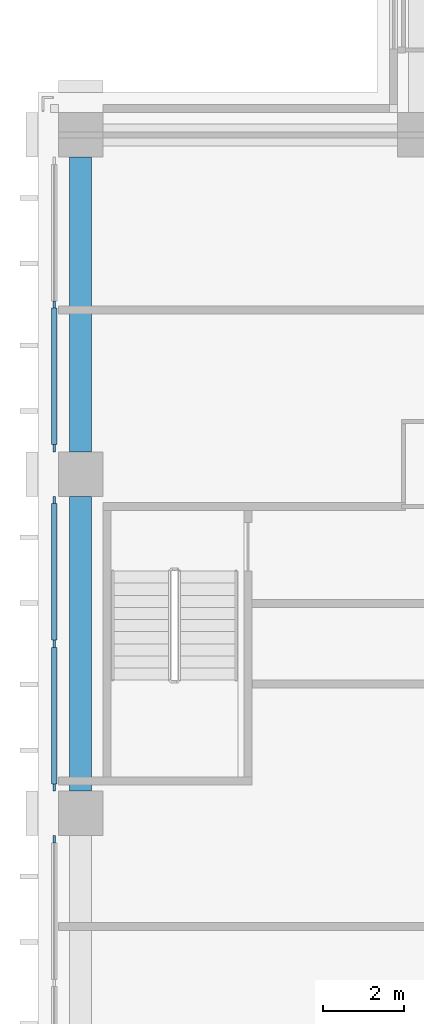
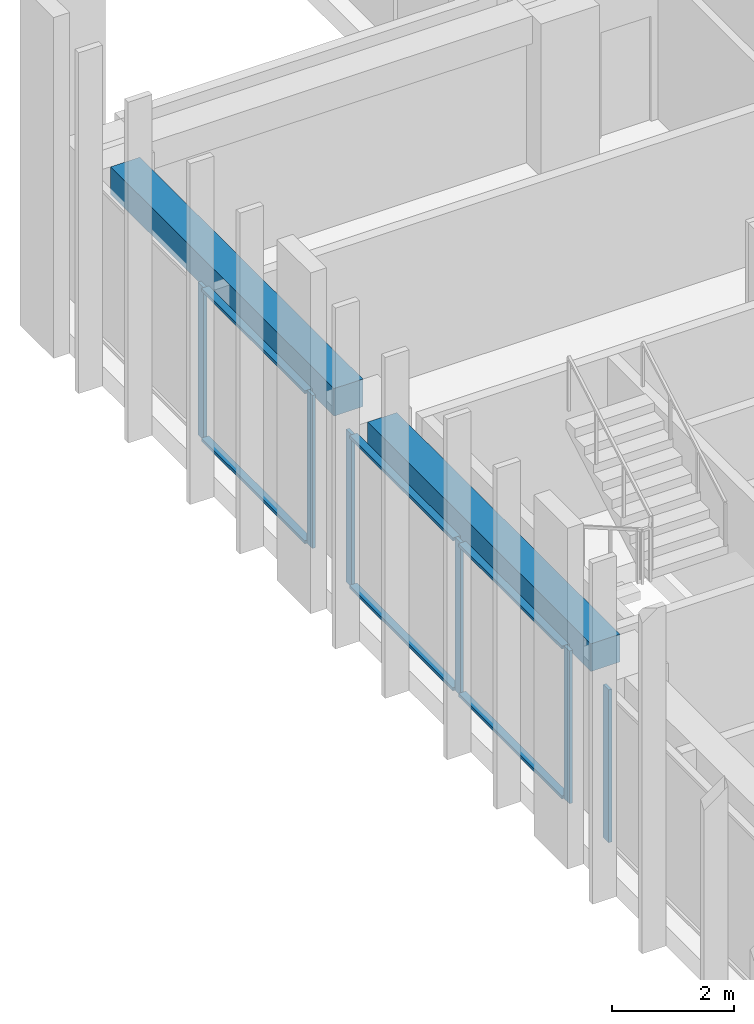
# One storey, part 4 of 16: 12 members, 2 beams, 3 elements without a shape of their own.
"""IFC4 building model written with IfcOpenShell, lengths in metres."""

from ifc_helpers import new_model, si_unit, direction, frame, origin, origin_2d, place, context, subcontext, project, spatial, rectangle, extrude, material, material_profile, profile_set, type_object, element, aggregate, save


model = new_model("IFC4")

# Units and contexts
model_context = context("Model", 3, precision=1e-05, world=origin(), true_north=direction((0.0, 1.0)))
body_context = subcontext(model_context, "Body", "Model", "MODEL_VIEW")
ifc_project = project(units=[si_unit("LENGTHUNIT", "METRE"), si_unit("AREAUNIT", "SQUARE_METRE"), si_unit("VOLUMEUNIT", "CUBIC_METRE"), si_unit("PLANEANGLEUNIT", "RADIAN"), si_unit("MASSUNIT", "GRAM", prefix="KILO")], contexts=[model_context])

# Site, building, storey
site_placement = place(None, origin())
site = spatial("IfcSite", under=ifc_project, at=site_placement, CompositionType="ELEMENT")
building_placement = place(site_placement, origin())
building = spatial("IfcBuilding", under=site, at=building_placement, Name="Vermilion Ogive Tower", CompositionType="ELEMENT")
storey_placement = place(building_placement, frame((0.0, 0.0, 164.14990234375)))
storey = spatial("IfcBuildingStorey", under=building, at=storey_placement, Name="L42", CompositionType="ELEMENT", Elevation=164.14990234375)

# Curtain wall, members
ifc_material_1 = material(Name="Low-iron laminated glazing in aluminium frame", Category="aluminium")
curtain_wall_type = type_object("IfcCurtainWallType", Name="Curtain wall CW7", PredefinedType="NOTDEFINED", material=ifc_material_1)
curtain_wall_1_placement = place(storey_placement, origin())
curtain_wall_1 = element("IfcCurtainWall", 1, at=curtain_wall_1_placement, inside=storey, type_object=curtain_wall_type, Name="Glazed skin W1", PredefinedType="NOTDEFINED")
ifc_material_2 = material(Name="Aluminium mullion", Category="aluminium")
ifc_material_profile_1 = material_profile(ifc_material_2, rectangle(XDim=0.06005859375, YDim=0.179931640625, at=origin_2d()), Name="AL 60x180")
ifc_profile_set_1 = profile_set([ifc_material_profile_1], Name="Aluminium mullion")
member_type_1 = type_object("IfcMemberType", Name="CW7 mullion 60x180", PredefinedType="MULLION", material=ifc_profile_set_1)
member_1_placement = place(storey_placement, frame((-21.64990234375, 8.39990234375, 0.0), z_axis=(0.0, 0.0, 1.0), x_axis=(1.0, 0.0, 0.0)))
member_1 = element("IfcMember", 2, at=member_1_placement, type_object=member_type_1, Name="CW7-W1 mullion 2", PredefinedType="MULLION", context=body_context, shape_type="SweptSolid", body=[
    extrude(rectangle(XDim=0.06005859375, YDim=0.179931640625, at=origin_2d()), origin(), (0.0, 0.0, 1.0), 3.050048828125),
])
member_2_placement = place(storey_placement, frame((-21.64990234375, 4.840087890625, 0.0), z_axis=(0.0, 0.0, 1.0), x_axis=(1.0, 0.0, 0.0)))
member_2 = element("IfcMember", 3, at=member_2_placement, type_object=member_type_1, Name="CW7-W1 mullion 3", PredefinedType="MULLION", context=body_context, shape_type="SweptSolid", body=[
    extrude(rectangle(XDim=0.06005859375, YDim=0.179931640625, at=origin_2d()), origin(), (0.0, 0.0, 1.0), 3.050048828125),
])

curtain_wall_2_placement = place(storey_placement, origin())
curtain_wall_2 = element("IfcCurtainWall", 4, at=curtain_wall_2_placement, inside=storey, type_object=curtain_wall_type, Name="Glazed skin W2", PredefinedType="NOTDEFINED")
member_3_placement = place(storey_placement, frame((-21.64990234375, 3.56005859375, 0.0), z_axis=(0.0, 0.0, 1.0), x_axis=(1.0, 0.0, 0.0)))
member_3 = element("IfcMember", 5, at=member_3_placement, type_object=member_type_1, Name="CW7-W2 mullion 1", PredefinedType="MULLION", context=body_context, shape_type="SweptSolid", body=[
    extrude(rectangle(XDim=0.06005859375, YDim=0.179931640625, at=origin_2d()), origin(), (0.0, 0.0, 1.0), 3.050048828125),
])
member_4_placement = place(storey_placement, frame((-21.64990234375, 0.0, 0.0), z_axis=(0.0, 0.0, 1.0), x_axis=(1.0, 0.0, 0.0)))
member_4 = element("IfcMember", 6, at=member_4_placement, type_object=member_type_1, Name="CW7-W2 mullion 2", PredefinedType="MULLION", context=body_context, shape_type="SweptSolid", body=[
    extrude(rectangle(XDim=0.06005859375, YDim=0.179931640625, at=origin_2d()), origin(), (0.0, 0.0, 1.0), 3.050048828125),
])
member_5_placement = place(storey_placement, frame((-21.64990234375, -3.56005859375, 0.0), z_axis=(0.0, 0.0, 1.0), x_axis=(1.0, 0.0, 0.0)))
member_5 = element("IfcMember", 7, at=member_5_placement, type_object=member_type_1, Name="CW7-W2 mullion 3", PredefinedType="MULLION", context=body_context, shape_type="SweptSolid", body=[
    extrude(rectangle(XDim=0.06005859375, YDim=0.179931640625, at=origin_2d()), origin(), (0.0, 0.0, 1.0), 3.050048828125),
])

# Curtain wall, member
curtain_wall_3_placement = place(storey_placement, origin())
curtain_wall_3 = element("IfcCurtainWall", 8, at=curtain_wall_3_placement, inside=storey, type_object=curtain_wall_type, Name="Glazed skin W3", PredefinedType="NOTDEFINED")
member_6_placement = place(storey_placement, frame((-21.64990234375, -4.840087890625, 0.0), z_axis=(0.0, 0.0, 1.0), x_axis=(1.0, 0.0, 0.0)))
member_6 = element("IfcMember", 9, at=member_6_placement, type_object=member_type_1, Name="CW7-W3 mullion 1", PredefinedType="MULLION", context=body_context, shape_type="SweptSolid", body=[
    extrude(rectangle(XDim=0.06005859375, YDim=0.179931640625, at=origin_2d()), origin(), (0.0, 0.0, 1.0), 3.050048828125),
])
aggregate(curtain_wall_3, [member_6])

# Member
ifc_material_3 = material(Name="Aluminium transom", Category="aluminium")
ifc_material_profile_2 = material_profile(ifc_material_3, rectangle(XDim=0.139892578125, YDim=0.06005859375, at=origin_2d()), Name="AL 60x140")
ifc_profile_set_2 = profile_set([ifc_material_profile_2], Name="Aluminium transom")
member_type_2 = type_object("IfcMemberType", Name="CW7 transom 60x140", PredefinedType="USERDEFINED", material=ifc_profile_set_2)
member_7_placement = place(storey_placement, frame((-21.64990234375, 8.31005859375, 0.030029296875), z_axis=(0.0, -1.0, 0.0), x_axis=(1.0, 0.0, 0.0)))
member_7 = element("IfcMember", 10, at=member_7_placement, type_object=member_type_2, Name="CW7-W1 transom 2.1", ObjectType="TRANSOM", PredefinedType="USERDEFINED", context=body_context, shape_type="SweptSolid", body=[
    extrude(rectangle(XDim=0.139892578125, YDim=0.06005859375, at=origin_2d()), origin(), (0.0, 0.0, 1.0), 3.380126953125),
])

member_8_placement = place(storey_placement, frame((-21.64990234375, 8.31005859375, 3.02001953125), z_axis=(0.0, -1.0, 0.0), x_axis=(1.0, 0.0, 0.0)))
member_8 = element("IfcMember", 11, at=member_8_placement, type_object=member_type_2, Name="CW7-W1 transom 2.2", ObjectType="TRANSOM", PredefinedType="USERDEFINED", context=body_context, shape_type="SweptSolid", body=[
    extrude(rectangle(XDim=0.139892578125, YDim=0.06005859375, at=origin_2d()), origin(), (0.0, 0.0, 1.0), 3.380126953125),
])

aggregate(curtain_wall_1, [member_1, member_2, member_7, member_8])

member_9_placement = place(storey_placement, frame((-21.64990234375, 3.469970703125, 0.030029296875), z_axis=(0.0, -1.0, 0.0), x_axis=(1.0, 0.0, 0.0)))
member_9 = element("IfcMember", 12, at=member_9_placement, type_object=member_type_2, Name="CW7-W2 transom 1.1", ObjectType="TRANSOM", PredefinedType="USERDEFINED", context=body_context, shape_type="SweptSolid", body=[
    extrude(rectangle(XDim=0.139892578125, YDim=0.06005859375, at=origin_2d()), origin(), (0.0, 0.0, 1.0), 3.3798828125),
])

member_10_placement = place(storey_placement, frame((-21.64990234375, 3.469970703125, 3.02001953125), z_axis=(0.0, -1.0, 0.0), x_axis=(1.0, 0.0, 0.0)))
member_10 = element("IfcMember", 13, at=member_10_placement, type_object=member_type_2, Name="CW7-W2 transom 1.2", ObjectType="TRANSOM", PredefinedType="USERDEFINED", context=body_context, shape_type="SweptSolid", body=[
    extrude(rectangle(XDim=0.139892578125, YDim=0.06005859375, at=origin_2d()), origin(), (0.0, 0.0, 1.0), 3.3798828125),
])

member_11_placement = place(storey_placement, frame((-21.64990234375, -0.090087890625, 0.030029296875), z_axis=(0.0, -1.0, 0.0), x_axis=(1.0, 0.0, 0.0)))
member_11 = element("IfcMember", 14, at=member_11_placement, type_object=member_type_2, Name="CW7-W2 transom 2.1", ObjectType="TRANSOM", PredefinedType="USERDEFINED", context=body_context, shape_type="SweptSolid", body=[
    extrude(rectangle(XDim=0.139892578125, YDim=0.06005859375, at=origin_2d()), origin(), (0.0, 0.0, 1.0), 3.3798828125),
])

member_12_placement = place(storey_placement, frame((-21.64990234375, -0.090087890625, 3.02001953125), z_axis=(0.0, -1.0, 0.0), x_axis=(1.0, 0.0, 0.0)))
member_12 = element("IfcMember", 15, at=member_12_placement, type_object=member_type_2, Name="CW7-W2 transom 2.2", ObjectType="TRANSOM", PredefinedType="USERDEFINED", context=body_context, shape_type="SweptSolid", body=[
    extrude(rectangle(XDim=0.139892578125, YDim=0.06005859375, at=origin_2d()), origin(), (0.0, 0.0, 1.0), 3.3798828125),
])

aggregate(curtain_wall_2, [member_3, member_4, member_5, member_9, member_10, member_11, member_12])

# Beams
ifc_material_4 = material(Name="Concrete B45", Category="concrete")
ifc_material_profile_3 = material_profile(ifc_material_4, rectangle(XDim=0.550048828125, YDim=0.550048828125, at=origin_2d()), Name="550 x 550")
ifc_profile_set_3 = profile_set([ifc_material_profile_3], Name="Concrete B45")
beam_type = type_object("IfcBeamType", Name="Edge beam 550 x 550 B45", PredefinedType="BEAM", material=ifc_profile_set_3)
beam_1_placement = place(storey_placement, frame((-21.0, 12.050048828125, 2.775146484375), z_axis=(0.0, -1.0, 0.0), x_axis=(1.0, 0.0, 0.0)))
element("IfcBeam", 16, at=beam_1_placement, inside=storey, type_object=beam_type, Name="L42-EB-13", PredefinedType="BEAM", context=body_context, shape_type="SweptSolid", body=[
    extrude(rectangle(XDim=0.550048828125, YDim=0.550048828125, at=origin_2d()), origin(), (0.0, 0.0, 1.0), 7.300048828125),
])
beam_2_placement = place(storey_placement, frame((-21.0, 3.64990234375, 2.775146484375), z_axis=(0.0, -1.0, 0.0), x_axis=(1.0, 0.0, 0.0)))
element("IfcBeam", 17, at=beam_2_placement, inside=storey, type_object=beam_type, Name="L42-EB-14", PredefinedType="BEAM", context=body_context, shape_type="SweptSolid", body=[
    extrude(rectangle(XDim=0.550048828125, YDim=0.550048828125, at=origin_2d()), origin(), (0.0, 0.0, 1.0), 7.2998046875),
])

save(model, "model.ifc")
